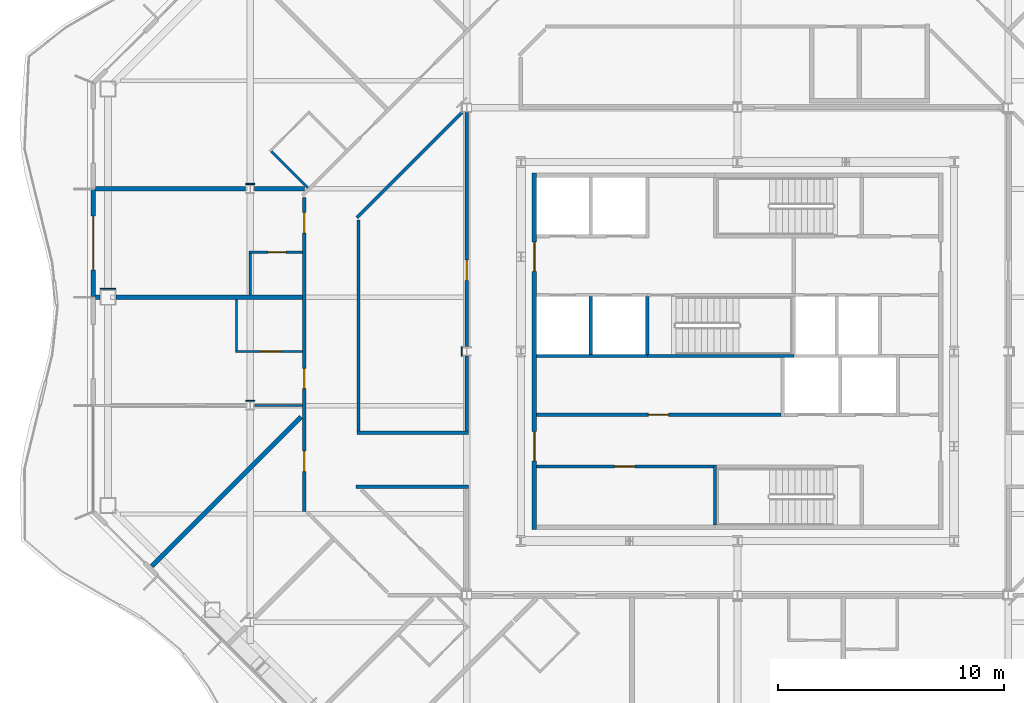
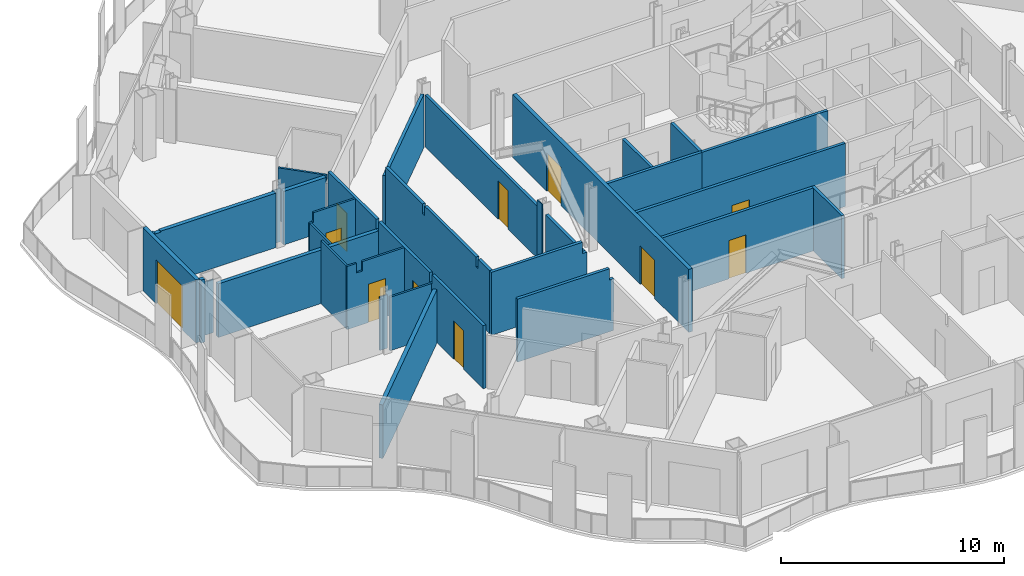
# One storey, part 8 of 22: 31 walls, 11 doors, 11 openings.
"""IFC4 building model written with IfcOpenShell, lengths in metres."""

import ifcopenshell
import ifcopenshell.guid

model = None  # the IFC model being written
_history = None  # IfcOwnerHistory: only IFC2X3 demands one
_inside = {}  # id of a spatial element -> (the spatial element, [elements in it])
_under = {}  # id of a project, library or spatial element -> (it, [spatial elements below it])
_declared = {}  # id of a project -> (the project, [libraries it declares])
_typed = {}  # id of a type object -> (the type object, [elements of that type])
_made_of = {}  # id of a material, layer set ... -> (it, [elements and type objects made of it])


def new_model(schema):
    """Start an empty IFC model of exactly this schema.

    Asked for "IFC4X3", IfcOpenShell would pick the latest addendum, in which some entities
    have other attributes; the version numbers below select the first issue.
    IFC2X3 requires an IfcOwnerHistory on every rooted entity: one is made here for all.
    """
    global model, _history
    if schema == "IFC4X3":
        model = ifcopenshell.file(schema_version=(4, 3, 0, 0))
    else:
        model = ifcopenshell.file(schema=schema)
    _inside.clear()
    _under.clear()
    _declared.clear()
    _typed.clear()
    _made_of.clear()
    _history = None
    if model.schema == "IFC2X3":
        org = make("IfcOrganization", Name="unknown")
        user = make(
            "IfcPersonAndOrganization",
            ThePerson=make("IfcPerson", FamilyName="unknown"),
            TheOrganization=org,
        )
        app = make(
            "IfcApplication",
            ApplicationDeveloper=org,
            Version="unknown",
            ApplicationFullName="unknown",
            ApplicationIdentifier="unknown",
        )
        _history = make(
            "IfcOwnerHistory",
            OwningUser=user,
            OwningApplication=app,
            ChangeAction="ADDED",
            CreationDate=0,
        )
    return model


def make(cls, **values):
    """One entity of the class cls with the attributes given. An attribute that is None is left unset."""
    return model.create_entity(
        cls, **{name: value for name, value in values.items() if value is not None}
    )


def rooted(cls, **values):
    """An entity with a GlobalId (a new one), such as an element, a storey or a relation."""
    return make(cls, GlobalId=ifcopenshell.guid.new(), OwnerHistory=_history, **values)


def si_unit(unit_type, name, prefix=None):
    """IfcSIUnit, for example si_unit("LENGTHUNIT", "METRE", prefix="MILLI")."""
    return make("IfcSIUnit", UnitType=unit_type, Prefix=prefix, Name=name)


def assignment(units):
    """IfcUnitAssignment: the units of a project."""
    return None if units is None else make("IfcUnitAssignment", Units=units)


def point(xyz):
    """IfcCartesianPoint."""
    return None if xyz is None else make("IfcCartesianPoint", Coordinates=xyz)


def direction(xyz):
    """IfcDirection."""
    return None if xyz is None else make("IfcDirection", DirectionRatios=xyz)


def frame(location, z_axis=None, x_axis=None):
    """IfcAxis2Placement3D, a coordinate frame: its origin and axes. An axis left out is left unset."""
    return make(
        "IfcAxis2Placement3D",
        Location=point(location),
        Axis=direction(z_axis),
        RefDirection=direction(x_axis),
    )


def frame_2d(location, x_axis=None):
    """IfcAxis2Placement2D, a coordinate frame in the plane: its origin and x axis."""
    return make(
        "IfcAxis2Placement2D", Location=point(location), RefDirection=direction(x_axis)
    )


def origin():
    """The frame at (0, 0, 0) with its axes left unset."""
    return frame((0.0, 0.0, 0.0))


def place(relative_to, where):
    """IfcLocalPlacement: puts the frame where relative to a parent placement (None: the world)."""
    return make(
        "IfcLocalPlacement", PlacementRelTo=relative_to, RelativePlacement=where
    )


def context(
    kind, dimensions, precision=None, world=None, true_north=None, identifier=None
):
    """IfcGeometricRepresentationContext, for example the 3D "Model" context."""
    return make(
        "IfcGeometricRepresentationContext",
        ContextIdentifier=identifier,
        ContextType=kind,
        CoordinateSpaceDimension=dimensions,
        Precision=precision,
        WorldCoordinateSystem=world,
        TrueNorth=true_north,
    )


def subcontext(parent, identifier, kind, view, scale=None):
    """IfcGeometricRepresentationSubContext, for example "Body" below "Model"."""
    return make(
        "IfcGeometricRepresentationSubContext",
        ContextIdentifier=identifier,
        ContextType=kind,
        ParentContext=parent,
        TargetScale=scale,
        TargetView=view,
    )


def project(units=None, contexts=None):
    """IfcProject with its units and contexts."""
    return rooted(
        "IfcProject",
        Name="project",
        RepresentationContexts=contexts,
        UnitsInContext=assignment(units),
    )


def spatial(cls, under=None, at=None, **own):
    """A site, building, storey or space (cls), placed at a placement, below another one or the project."""
    s = rooted(cls, ObjectPlacement=at, **own)
    if under is not None:
        _under.setdefault(under.id(), (under, []))[1].append(s)
    return s


def polyline(points):
    """IfcPolyline through the points."""
    return make("IfcPolyline", Points=[point(p) for p in points])


def profile(cls, at=None, kind="AREA", **sizes):
    """A parametric profile (cls). Its sizes go by their IFC names, for example OverallWidth=200.0."""
    return make(cls, ProfileType=kind, Position=at, **sizes)


def rectangle(**sizes):
    """IfcRectangleProfileDef."""
    return profile("IfcRectangleProfileDef", **sizes)


def outline(outer, holes=None, kind="AREA"):
    """IfcArbitraryClosedProfileDef: a profile drawn as a closed curve; with holes, ...WithVoids."""
    if holes is None:
        return make("IfcArbitraryClosedProfileDef", ProfileType=kind, OuterCurve=outer)
    return make(
        "IfcArbitraryProfileDefWithVoids",
        ProfileType=kind,
        OuterCurve=outer,
        InnerCurves=holes,
    )


def extrude(swept, where, along, depth):
    """IfcExtrudedAreaSolid: the profile swept, set in the frame where, extruded along a direction by depth."""
    return make(
        "IfcExtrudedAreaSolid",
        SweptArea=swept,
        Position=where,
        ExtrudedDirection=direction(along),
        Depth=depth,
    )


def shape(context_of_items, identifier, shape_type, items):
    """IfcShapeRepresentation: the items that make up one representation, for example the "Body"."""
    return make(
        "IfcShapeRepresentation",
        ContextOfItems=context_of_items,
        RepresentationIdentifier=identifier,
        RepresentationType=shape_type,
        Items=items,
    )


def material(Name=None, Category=None):
    """IfcMaterial."""
    return make("IfcMaterial", Name=Name, Category=Category)


def layer(
    of_material, thickness, ventilated=None, Name=None, Category=None, Priority=None
):
    """IfcMaterialLayer: one layer of a wall or slab, of a material (None: an air gap)."""
    return make(
        "IfcMaterialLayer",
        Material=of_material,
        LayerThickness=thickness,
        IsVentilated=ventilated,
        Name=Name,
        Category=Category,
        Priority=Priority,
    )


def layer_set(layers, Name=None):
    """IfcMaterialLayerSet."""
    return make("IfcMaterialLayerSet", MaterialLayers=layers, LayerSetName=Name)


def made_of(thing, what):
    """Note that an element or type object is made of a material, layer set ...; save() writes the relation."""
    if what is not None:
        _made_of.setdefault(what.id(), (what, []))[1].append(thing)
    return thing


def type_object(cls, material=None, **own):
    """A type object (cls), such as IfcWallType, which elements share."""
    return made_of(rooted(cls, **own), material)


def element(
    cls,
    number,
    at=None,
    inside=None,
    cuts=None,
    type_object=None,
    material=None,
    context=None,
    identifier="Body",
    shape_type=None,
    held_by="IfcProductDefinitionShape",
    body=None,
    shapes=None,
    **own,
):
    """One element of the class cls, such as IfcWall. Its Tag is "e" and its number.

    at: its placement. inside: the storey or other place that contains it. cuts: it is an
    opening in that element (IfcRelVoidsElement). A single representation is given by context,
    identifier, shape_type and body (its items); several are given by shapes. held_by: the class
    of the entity that holds the representations. save() writes the other relations.
    """
    e = rooted(cls, Tag="e%d" % number, ObjectPlacement=at, **own)
    if body is not None:
        shapes = [shape(context, identifier, shape_type, body)]
    if shapes is not None:
        e.Representation = make(held_by, Representations=shapes)
    if inside is not None:
        _inside.setdefault(inside.id(), (inside, []))[1].append(e)
    if cuts is not None:
        rooted(
            "IfcRelVoidsElement", RelatingBuildingElement=cuts, RelatedOpeningElement=e
        )
    if type_object is not None:
        _typed.setdefault(type_object.id(), (type_object, []))[1].append(e)
    return made_of(e, material)


def fill(opening, filler):
    """IfcRelFillsElement: the door or window that sits in an opening."""
    return rooted(
        "IfcRelFillsElement",
        RelatingOpeningElement=opening,
        RelatedBuildingElement=filler,
    )


def aggregate(whole, parts):
    """IfcRelAggregates: a whole, such as a stair, and the parts it consists of."""
    return rooted("IfcRelAggregates", RelatingObject=whole, RelatedObjects=parts)


def save(model, path):
    """Write the relations noted so far, then the file.

    IfcRelAggregates (storeys below a building ...), IfcRelContainedInSpatialStructure (elements
    in a storey), IfcRelDefinesByType, IfcRelAssociatesMaterial and IfcRelDeclares: one each for
    every whole, place, type object, material and project.
    """
    for whole, parts in _under.values():
        aggregate(whole, parts)
    for where, things in _inside.values():
        rooted(
            "IfcRelContainedInSpatialStructure",
            RelatedElements=things,
            RelatingStructure=where,
        )
    for kind, things in _typed.values():
        rooted("IfcRelDefinesByType", RelatedObjects=things, RelatingType=kind)
    for what, things in _made_of.values():
        rooted("IfcRelAssociatesMaterial", RelatedObjects=things, RelatingMaterial=what)
    for by, libraries in _declared.values():
        rooted("IfcRelDeclares", RelatingContext=by, RelatedDefinitions=libraries)
    model.write(path)


model = new_model("IFC4")

# Units and contexts
model_context = context("Model", 3, precision=1e-05, world=origin(), true_north=direction((0.0, 1.0)))
body_context = subcontext(model_context, "Body", "Model", "MODEL_VIEW")
ifc_project = project(units=[si_unit("LENGTHUNIT", "METRE"), si_unit("AREAUNIT", "SQUARE_METRE"), si_unit("VOLUMEUNIT", "CUBIC_METRE"), si_unit("PLANEANGLEUNIT", "RADIAN"), si_unit("MASSUNIT", "GRAM", prefix="KILO")], contexts=[model_context])

# Site, building, storey
site_placement = place(None, origin())
site = spatial("IfcSite", under=ifc_project, at=site_placement, CompositionType="ELEMENT")
building_placement = place(site_placement, origin())
building = spatial("IfcBuilding", under=site, at=building_placement, Name="Cairn Pilgrim Tower", CompositionType="ELEMENT")
storey_placement = place(building_placement, frame((0.0, 0.0, 147.0)))
storey = spatial("IfcBuildingStorey", under=building, at=storey_placement, Name="L36", CompositionType="ELEMENT", Elevation=147.0)

# Wall, opening, door
ifc_material_1 = material(Name="Bronze anodised aluminium insulated sandwich panel with mineral wool fill", Category="aluminium")
ifc_layer_1 = layer(ifc_material_1, 0.199951171875)
ifc_layer_set_1 = layer_set([ifc_layer_1], Name="BRONZE INFILL FRAME WALL 200")
wall_type_1 = type_object("IfcWallType", Name="BRONZE INFILL FRAME WALL 200", PredefinedType="NOTDEFINED", material=ifc_layer_set_1)
wall_1_placement = place(storey_placement, frame((-21.35009765625, 9.570068359375, 0.0), z_axis=(0.0, 0.0, 1.0), x_axis=(0.0, -1.0, 0.0)))
wall_1 = element("IfcWall", 1, at=wall_1_placement, inside=storey, type_object=wall_type_1, Name="Bronze infill frame wall IW-W2", PredefinedType="NOTDEFINED", context=body_context, shape_type="SweptSolid", body=[
    extrude(rectangle(XDim=4.739990234375, YDim=0.199951171875, at=frame_2d((2.3701171875, 0.0))), origin(), (0.0, 0.0, 1.0), 3.449951171875),
])
opening_1_placement = place(wall_1_placement, frame((1.169921875, 0.0, 0.0)))
opening_1 = element("IfcOpeningElement", 2, at=opening_1_placement, cuts=wall_1, Name="Opening 3614B", PredefinedType="OPENING", context=body_context, shape_type="SweptSolid", body=[
    extrude(rectangle(XDim=2.39990234375, YDim=2.39990234375, at=frame_2d((1.199951171875, 1.199951171875))), frame((0.0, 0.10986328125, 0.0), z_axis=(0.0, -1.0, 0.0), x_axis=(1.0, 0.0, 0.0)), (0.0, 0.0, 1.0), 0.219970703125),
])
ifc_material_2 = material(Name="Bronze anodised aluminium frame with tinted low-E glass", Category="aluminium")
door_type_1 = type_object("IfcDoorType", Name="BALCONY SLIDING DOOR 2400x2400", OperationType="DOUBLE_DOOR_SLIDING", PredefinedType="DOOR", material=ifc_material_2)
door_1_placement = place(opening_1_placement, origin())
door_1 = element("IfcDoor", 3, at=door_1_placement, inside=storey, type_object=door_type_1, Name="Balcony sliding door 3614B", OperationType="SINGLE_SWING_LEFT", OverallHeight=2.39990234375, OverallWidth=2.39990234375, PredefinedType="DOOR", context=body_context, shape_type="SweptSolid", body=[
    extrude(rectangle(XDim=2.39990234375, YDim=2.39990234375, at=frame_2d((1.199951171875, 1.199951171875))), frame((0.0, 0.02490234375, 0.0), z_axis=(0.0, -1.0, 0.0), x_axis=(1.0, 0.0, 0.0)), (0.0, 0.0, 1.0), 0.050048828125),
])
fill(opening_1, door_1)

# Wall, openings, doors
ifc_material_3 = material(Name="Concrete C32/40", Category="concrete")
ifc_layer_2 = layer(ifc_material_3, 0.199951171875)
ifc_layer_set_2 = layer_set([ifc_layer_2], Name="CORE OUTER WALL 200 EI 120")
wall_type_2 = type_object("IfcWallType", Name="CORE OUTER WALL 200 EI 120", PredefinedType="SOLIDWALL", material=ifc_layer_set_2)
wall_2_placement = place(storey_placement, frame((-1.800048828125, -5.5, 0.0), z_axis=(0.0, 0.0, 1.0), x_axis=(0.0, 1.0, 0.0)))
wall_2 = element("IfcWall", 4, at=wall_2_placement, inside=storey, type_object=wall_type_2, Name="CW:L36:V13", PredefinedType="SOLIDWALL", context=body_context, shape_type="SweptSolid", body=[
    extrude(rectangle(XDim=15.800048828125, YDim=0.199951171875, at=frame_2d((7.89990234375, 0.0))), origin(), (0.0, 0.0, 1.0), 3.449951171875),
])
opening_2_placement = place(wall_2_placement, frame((3.050048828125, 0.0, 0.0)))
opening_2 = element("IfcOpeningElement", 5, at=opening_2_placement, cuts=wall_2, Name="Opening CD-W1", PredefinedType="OPENING", context=body_context, shape_type="SweptSolid", body=[
    extrude(rectangle(XDim=1.300048828125, YDim=2.10009765625, at=frame_2d((0.64990234375, 1.050048828125))), frame((0.0, 0.10986328125, 0.0), z_axis=(0.0, -1.0, 0.0), x_axis=(1.0, 0.0, 0.0)), (0.0, 0.0, 1.0), 0.219970703125),
])
opening_3_placement = place(wall_2_placement, frame((11.449951171875, 0.0, 0.0)))
opening_3 = element("IfcOpeningElement", 6, at=opening_3_placement, cuts=wall_2, Name="Opening CD-W2", PredefinedType="OPENING", context=body_context, shape_type="SweptSolid", body=[
    extrude(rectangle(XDim=1.300048828125, YDim=2.10009765625, at=frame_2d((0.64990234375, 1.050048828125))), frame((0.0, 0.10986328125, 0.0), z_axis=(0.0, -1.0, 0.0), x_axis=(1.0, 0.0, 0.0)), (0.0, 0.0, 1.0), 0.219970703125),
])
ifc_material_4 = material(Name="Painted steel", Category="steel")
door_type_2 = type_object("IfcDoorType", Name="CORE LOBBY DOOR 1300x2100", OperationType="DOUBLE_DOOR_SINGLE_SWING", PredefinedType="DOOR", material=ifc_material_4)
door_2_placement = place(opening_2_placement, origin())
door_2 = element("IfcDoor", 7, at=door_2_placement, inside=storey, type_object=door_type_2, Name="CD-W1", OperationType="DOUBLE_DOOR_SINGLE_SWING", OverallHeight=2.10009765625, OverallWidth=1.300048828125, PredefinedType="DOOR", context=body_context, shape_type="SweptSolid", body=[
    extrude(rectangle(XDim=1.300048828125, YDim=2.10009765625, at=frame_2d((0.64990234375, 1.050048828125))), frame((0.0, 0.02490234375, 0.0), z_axis=(0.0, -1.0, 0.0), x_axis=(1.0, 0.0, 0.0)), (0.0, 0.0, 1.0), 0.050048828125),
])
fill(opening_2, door_2)
door_3_placement = place(opening_3_placement, origin())
door_3 = element("IfcDoor", 8, at=door_3_placement, inside=storey, type_object=door_type_2, Name="CD-W2", OperationType="DOUBLE_DOOR_SINGLE_SWING", OverallHeight=2.10009765625, OverallWidth=1.300048828125, PredefinedType="DOOR", context=body_context, shape_type="SweptSolid", body=[
    extrude(rectangle(XDim=1.300048828125, YDim=2.10009765625, at=frame_2d((0.64990234375, 1.050048828125))), frame((0.0, 0.02490234375, 0.0), z_axis=(0.0, -1.0, 0.0), x_axis=(1.0, 0.0, 0.0)), (0.0, 0.0, 1.0), 0.050048828125),
])
fill(opening_3, door_3)

# Wall, opening, door
ifc_layer_3 = layer(ifc_material_3, 0.14990234375)
ifc_layer_set_3 = layer_set([ifc_layer_3], Name="CORE PARTITION 150 EI 60")
wall_type_3 = type_object("IfcWallType", Name="CORE PARTITION 150 EI 60", PredefinedType="PARTITIONING", material=ifc_layer_set_3)
wall_3_placement = place(storey_placement, frame((-1.699951171875, -2.699951171875, 0.0), z_axis=(0.0, 0.0, 1.0), x_axis=(1.0, 0.0, 0.0)))
wall_3 = element("IfcWall", 9, at=wall_3_placement, inside=storey, type_object=wall_type_3, Name="CW:L36:H02", PredefinedType="PARTITIONING", context=body_context, shape_type="SweptSolid", body=[
    extrude(rectangle(XDim=7.824951171875, YDim=0.14990234375, at=frame_2d((3.91259765625, 0.0))), origin(), (0.0, 0.0, 1.0), 3.449951171875),
])
opening_4_placement = place(wall_3_placement, frame((3.449951171875, 0.0, 0.0)))
opening_4 = element("IfcOpeningElement", 10, at=opening_4_placement, cuts=wall_3, Name="Opening RD-R1W1", PredefinedType="OPENING", context=body_context, shape_type="SweptSolid", body=[
    extrude(rectangle(XDim=0.89990234375, YDim=2.10009765625, at=frame_2d((0.449951171875, 1.050048828125))), frame((0.0, 0.0849609375, 0.0), z_axis=(0.0, -1.0, 0.0), x_axis=(1.0, 0.0, 0.0)), (0.0, 0.0, 1.0), 0.169921875),
])
door_type_3 = type_object("IfcDoorType", Name="SERVICE ROOM DOOR 900x2100", OperationType="SINGLE_SWING_LEFT", PredefinedType="DOOR", material=ifc_material_4)
door_4_placement = place(opening_4_placement, origin())
door_4 = element("IfcDoor", 11, at=door_4_placement, inside=storey, type_object=door_type_3, Name="RD-R1W1", OperationType="SINGLE_SWING_LEFT", OverallHeight=2.10009765625, OverallWidth=0.89990234375, PredefinedType="DOOR", context=body_context, shape_type="SweptSolid", body=[
    extrude(rectangle(XDim=0.89990234375, YDim=2.10009765625, at=frame_2d((0.449951171875, 1.050048828125))), frame((0.0, 0.02490234375, 0.0), z_axis=(0.0, -1.0, 0.0), x_axis=(1.0, 0.0, 0.0)), (0.0, 0.0, 1.0), 0.050048828125),
])
fill(opening_4, door_4)

wall_4_placement = place(storey_placement, frame((-1.699951171875, -0.39990234375, 0.0), z_axis=(0.0, 0.0, 1.0), x_axis=(1.0, 0.0, 0.0)))
wall_4 = element("IfcWall", 12, at=wall_4_placement, inside=storey, type_object=wall_type_3, Name="CW:L36:H04", PredefinedType="PARTITIONING", context=body_context, shape_type="SweptSolid", body=[
    extrude(rectangle(XDim=10.824951171875, YDim=0.14990234375, at=frame_2d((5.41259765625, 0.0))), origin(), (0.0, 0.0, 1.0), 3.449951171875),
])
opening_5_placement = place(wall_4_placement, frame((4.949951171875, 0.0, 0.0)))
opening_5 = element("IfcOpeningElement", 13, at=opening_5_placement, cuts=wall_4, Name="Opening RD-R2W1", PredefinedType="OPENING", context=body_context, shape_type="SweptSolid", body=[
    extrude(rectangle(XDim=0.89990234375, YDim=2.10009765625, at=frame_2d((0.449951171875, 1.050048828125))), frame((0.0, 0.0849609375, 0.0), z_axis=(0.0, -1.0, 0.0), x_axis=(1.0, 0.0, 0.0)), (0.0, 0.0, 1.0), 0.169921875),
])
door_5_placement = place(opening_5_placement, origin())
door_5 = element("IfcDoor", 14, at=door_5_placement, inside=storey, type_object=door_type_3, Name="RD-R2W1", OperationType="SINGLE_SWING_RIGHT", OverallHeight=2.10009765625, OverallWidth=0.89990234375, PredefinedType="DOOR", context=body_context, shape_type="SweptSolid", body=[
    extrude(rectangle(XDim=0.89990234375, YDim=2.10009765625, at=frame_2d((0.449951171875, 1.050048828125))), frame((0.0, 0.02490234375, 0.0), z_axis=(0.0, -1.0, 0.0), x_axis=(1.0, 0.0, 0.0)), (0.0, 0.0, 1.0), 0.050048828125),
])
fill(opening_5, door_5)

# Walls
ifc_layer_4 = layer(ifc_material_3, 0.14990234375)
ifc_layer_set_4 = layer_set([ifc_layer_4], Name="CORE SHAFT WALL 150 EI 120")
wall_type_4 = type_object("IfcWallType", Name="CORE SHAFT WALL 150 EI 120", PredefinedType="SOLIDWALL", material=ifc_layer_set_4)
wall_5_placement = place(storey_placement, frame((-1.699951171875, 2.199951171875, 0.0), z_axis=(0.0, 0.0, 1.0), x_axis=(1.0, 0.0, 0.0)))
element("IfcWall", 15, at=wall_5_placement, inside=storey, type_object=wall_type_4, Name="CW:L36:H07-1", PredefinedType="SOLIDWALL", context=body_context, shape_type="SweptSolid", body=[
    extrude(rectangle(XDim=4.89990234375, YDim=0.14990234375, at=frame_2d((2.449951171875, 0.0))), origin(), (0.0, 0.0, 1.0), 3.449951171875),
])
wall_6_placement = place(storey_placement, frame((0.699951171875, 2.27490234375, 0.0), z_axis=(0.0, 0.0, 1.0), x_axis=(0.0, 1.0, 0.0)))
element("IfcWall", 16, at=wall_6_placement, inside=storey, type_object=wall_type_4, Name="CW:L36:V14", PredefinedType="SOLIDWALL", context=body_context, shape_type="SweptSolid", body=[
    extrude(rectangle(XDim=2.550048828125, YDim=0.14990234375, at=frame_2d((1.27490234375, 0.0))), origin(), (0.0, 0.0, 1.0), 3.449951171875),
])
ifc_material_5 = material(Name="Gypsum partition")
ifc_layer_5 = layer(ifc_material_5, 0.10009765625)
ifc_layer_set_5 = layer_set([ifc_layer_5], Name="PARTITION 100 DRYWALL")
wall_type_5 = type_object("IfcWallType", Name="PARTITION 100 DRYWALL", PredefinedType="PARTITIONING", material=ifc_layer_set_5)
wall_7_placement = place(storey_placement, frame((-14.200439453125, 0.0, 0.0), z_axis=(0.0, 0.0, 1.0), x_axis=(1.0, 0.0, 0.0)))
element("IfcWall", 17, at=wall_7_placement, inside=storey, type_object=wall_type_5, Name="PARTITION W048", PredefinedType="PARTITIONING", context=body_context, shape_type="SweptSolid", body=[
    extrude(rectangle(XDim=2.12548828125, YDim=0.10009765625, at=frame_2d((1.062744140625, 0.0))), origin(), (0.0, 0.0, 1.0), 2.929931640625),
])

# Wall, opening, door
wall_8_placement = place(storey_placement, frame((-15.050048828125, 2.39990234375, 0.0), z_axis=(0.0, 0.0, 1.0), x_axis=(1.0, 0.0, 0.0)))
wall_8 = element("IfcWall", 18, at=wall_8_placement, inside=storey, type_object=wall_type_5, Name="PARTITION W051", PredefinedType="PARTITIONING", context=body_context, shape_type="SweptSolid", body=[
    extrude(outline(polyline([(0.0, 0.0), (2.97509765625, 0.0), (2.97509765625, 3.449951171875), (0.800048828125, 3.449951171875), (0.798095703125, 2.929931640625), (0.5, 2.929931640625), (0.498046875, 3.449951171875), (0.0, 3.449951171875), (0.0, 0.0)])), frame((0.0, 0.050048828125, 0.0), z_axis=(0.0, -1.0, 0.0), x_axis=(1.0, 0.0, 0.0)), (0.0, 0.0, 1.0), 0.10009765625),
])
opening_6_placement = place(wall_8_placement, frame((1.10009765625, 0.0, 0.0)))
opening_6 = element("IfcOpeningElement", 19, at=opening_6_placement, cuts=wall_8, Name="Opening 3615A", PredefinedType="OPENING", context=body_context, shape_type="SweptSolid", body=[
    extrude(rectangle(XDim=0.89990234375, YDim=2.10009765625, at=frame_2d((0.449951171875, 1.050048828125))), frame((0.0, 0.06005859375, 0.0), z_axis=(0.0, -1.0, 0.0), x_axis=(1.0, 0.0, 0.0)), (0.0, 0.0, 1.0), 0.1201171875),
])
ifc_material_6 = material(Name="Timber door leaf", Category="wood")
door_type_4 = type_object("IfcDoorType", Name="WC DOOR 900x2100", OperationType="NOTDEFINED", PredefinedType="DOOR", material=ifc_material_6)
door_6_placement = place(opening_6_placement, frame((0.89990234375, 0.0, 0.0), z_axis=(0.0, 0.0, 1.0), x_axis=(-1.0, 0.0, 0.0)))
door_6 = element("IfcDoor", 20, at=door_6_placement, inside=storey, type_object=door_type_4, Name="DOOR 3615A", OperationType="SINGLE_SWING_RIGHT", OverallHeight=2.10009765625, OverallWidth=0.89990234375, PredefinedType="DOOR", context=body_context, shape_type="SweptSolid", body=[
    extrude(rectangle(XDim=0.89990234375, YDim=2.10009765625, at=frame_2d((0.449951171875, 1.050048828125))), frame((0.0, 0.02490234375, 0.0), z_axis=(0.0, -1.0, 0.0), x_axis=(1.0, 0.0, 0.0)), (0.0, 0.0, 1.0), 0.050048828125),
])
fill(opening_6, door_6)

# Walls
wall_9_placement = place(storey_placement, frame((-15.0, 2.449951171875, 0.0), z_axis=(0.0, 0.0, 1.0), x_axis=(0.0, 1.0, 0.0)))
element("IfcWall", 21, at=wall_9_placement, inside=storey, type_object=wall_type_5, Name="PARTITION W052", PredefinedType="PARTITIONING", context=body_context, shape_type="SweptSolid", body=[
    extrude(rectangle(XDim=2.25, YDim=0.10009765625, at=frame_2d((1.125, 0.0))), origin(), (0.0, 0.0, 1.0), 3.449951171875),
])
wall_10_placement = place(storey_placement, frame((-14.39990234375, 4.89990234375, 0.0), z_axis=(0.0, 0.0, 1.0), x_axis=(0.0, 1.0, 0.0)))
element("IfcWall", 22, at=wall_10_placement, inside=storey, type_object=wall_type_5, Name="PARTITION W061", PredefinedType="PARTITIONING", context=body_context, shape_type="SweptSolid", body=[
    extrude(rectangle(XDim=1.85009765625, YDim=0.10009765625, at=frame_2d((0.925048828125, 0.0))), origin(), (0.0, 0.0, 1.0), 2.929931640625),
])

# Wall, opening, door
wall_11_placement = place(storey_placement, frame((-14.449951171875, 6.800048828125, 0.0), z_axis=(0.0, 0.0, 1.0), x_axis=(1.0, 0.0, 0.0)))
wall_11 = element("IfcWall", 23, at=wall_11_placement, inside=storey, type_object=wall_type_5, Name="PARTITION W062", PredefinedType="PARTITIONING", context=body_context, shape_type="SweptSolid", body=[
    extrude(outline(polyline([(0.0, 0.0), (2.375, 0.0), (2.375, 3.449951171875), (0.199951171875, 3.449951171875), (0.197998046875, 2.929931640625), (0.0, 2.929931640625), (0.0, 0.0)])), frame((0.0, 0.050048828125, 0.0), z_axis=(0.0, -1.0, 0.0), x_axis=(1.0, 0.0, 0.0)), (0.0, 0.0, 1.0), 0.10009765625),
])
opening_7_placement = place(wall_11_placement, frame((0.85009765625, 0.0, 0.0)))
opening_7 = element("IfcOpeningElement", 24, at=opening_7_placement, cuts=wall_11, Name="Opening 3614A", PredefinedType="OPENING", context=body_context, shape_type="SweptSolid", body=[
    extrude(rectangle(XDim=0.800048828125, YDim=2.10009765625, at=frame_2d((0.39990234375, 1.050048828125))), frame((0.0, 0.06005859375, 0.0), z_axis=(0.0, -1.0, 0.0), x_axis=(1.0, 0.0, 0.0)), (0.0, 0.0, 1.0), 0.1201171875),
])
door_type_5 = type_object("IfcDoorType", Name="WC DOOR 800x2100", OperationType="NOTDEFINED", PredefinedType="DOOR", material=ifc_material_6)
door_7_placement = place(opening_7_placement, origin())
door_7 = element("IfcDoor", 25, at=door_7_placement, inside=storey, type_object=door_type_5, Name="DOOR 3614A", OperationType="SINGLE_SWING_RIGHT", OverallHeight=2.10009765625, OverallWidth=0.800048828125, PredefinedType="DOOR", context=body_context, shape_type="SweptSolid", body=[
    extrude(rectangle(XDim=0.800048828125, YDim=2.10009765625, at=frame_2d((0.39990234375, 1.050048828125))), frame((0.0, 0.02490234375, 0.0), z_axis=(0.0, -1.0, 0.0), x_axis=(1.0, 0.0, 0.0)), (0.0, 0.0, 1.0), 0.050048828125),
])
fill(opening_7, door_7)

# Wall
wall_12_placement = place(storey_placement, frame((-11.846923828125, 9.653076171875, 0.0), z_axis=(0.0, 0.0, 1.0), x_axis=(-0.707106781187, 0.707106781187, 0.0)))
element("IfcWall", 26, at=wall_12_placement, inside=storey, type_object=wall_type_5, Name="PARTITION W071", PredefinedType="PARTITIONING", context=body_context, shape_type="SweptSolid", body=[
    extrude(rectangle(XDim=2.27490234375, YDim=0.10009765625, at=frame_2d((1.137451171875, 0.0))), origin(), (0.0, 0.0, 1.0), 2.929931640625),
])

# Wall, openings, doors
ifc_layer_6 = layer(ifc_material_5, 0.14990234375)
ifc_layer_set_6 = layer_set([ifc_layer_6], Name="PARTITION 150 DRYWALL EI 60")
wall_type_6 = type_object("IfcWallType", Name="PARTITION 150 DRYWALL EI 60", PredefinedType="PARTITIONING", material=ifc_layer_set_6)
wall_13_placement = place(storey_placement, frame((-12.0, -4.7001953125, 0.0), z_axis=(0.0, 0.0, 1.0), x_axis=(0.0, 1.0, 0.0)))
wall_13 = element("IfcWall", 27, at=wall_13_placement, inside=storey, type_object=wall_type_6, Name="PARTITION W035", PredefinedType="PARTITIONING", context=body_context, shape_type="SweptSolid", body=[
    extrude(outline(polyline([(0.0, 0.0), (13.9130859375, 0.0), (13.9130859375, 3.449951171875), (9.60009765625, 3.449951171875), (9.59814453125, 2.929931640625), (9.400146484375, 2.929931640625), (9.398193359375, 3.449951171875), (4.800048828125, 3.449951171875), (4.798095703125, 2.929931640625), (4.60009765625, 2.929931640625), (4.59814453125, 3.449951171875), (0.0, 3.449951171875), (0.0, 0.0)])), frame((0.0, 0.074951171875, 0.0), z_axis=(0.0, -1.0, 0.0), x_axis=(1.0, 0.0, 0.0)), (0.0, 0.0, 1.0), 0.14990234375),
])
opening_8_placement = place(wall_13_placement, frame((12.34716796875, 0.0, 0.0)))
opening_8 = element("IfcOpeningElement", 28, at=opening_8_placement, cuts=wall_13, Name="Opening 3614", PredefinedType="OPENING", context=body_context, shape_type="SweptSolid", body=[
    extrude(rectangle(XDim=0.89990234375, YDim=2.10009765625, at=frame_2d((0.449951171875, 1.050048828125))), frame((0.0, 0.0849609375, 0.0), z_axis=(0.0, -1.0, 0.0), x_axis=(1.0, 0.0, 0.0)), (0.0, 0.0, 1.0), 0.169921875),
])
opening_9_placement = place(wall_13_placement, frame((5.449951171875, 0.0, 0.0)))
opening_9 = element("IfcOpeningElement", 29, at=opening_9_placement, cuts=wall_13, Name="Opening 3615", PredefinedType="OPENING", context=body_context, shape_type="SweptSolid", body=[
    extrude(rectangle(XDim=0.89990234375, YDim=2.10009765625, at=frame_2d((0.449951171875, 1.050048828125))), frame((0.0, 0.0849609375, 0.0), z_axis=(0.0, -1.0, 0.0), x_axis=(1.0, 0.0, 0.0)), (0.0, 0.0, 1.0), 0.169921875),
])
opening_10_placement = place(wall_13_placement, frame((1.777099609375, 0.0, 0.0)))
opening_10 = element("IfcOpeningElement", 30, at=opening_10_placement, cuts=wall_13, Name="Opening 3616", PredefinedType="OPENING", context=body_context, shape_type="SweptSolid", body=[
    extrude(rectangle(XDim=0.89990234375, YDim=2.10009765625, at=frame_2d((0.449951171875, 1.050048828125))), frame((0.0, 0.0849609375, 0.0), z_axis=(0.0, -1.0, 0.0), x_axis=(1.0, 0.0, 0.0)), (0.0, 0.0, 1.0), 0.169921875),
])
door_type_6 = type_object("IfcDoorType", Name="ROOM DOOR 900x2100 FD30S", OperationType="NOTDEFINED", PredefinedType="DOOR", material=ifc_material_6)
door_8_placement = place(opening_8_placement, origin())
door_8 = element("IfcDoor", 31, at=door_8_placement, inside=storey, type_object=door_type_6, Name="DOOR 3614", OperationType="SINGLE_SWING_RIGHT", OverallHeight=2.10009765625, OverallWidth=0.89990234375, PredefinedType="DOOR", context=body_context, shape_type="SweptSolid", body=[
    extrude(rectangle(XDim=0.89990234375, YDim=2.10009765625, at=frame_2d((0.449951171875, 1.050048828125))), frame((0.0, 0.02490234375, 0.0), z_axis=(0.0, -1.0, 0.0), x_axis=(1.0, 0.0, 0.0)), (0.0, 0.0, 1.0), 0.050048828125),
])
fill(opening_8, door_8)
door_9_placement = place(opening_9_placement, origin())
door_9 = element("IfcDoor", 32, at=door_9_placement, inside=storey, type_object=door_type_6, Name="DOOR 3615", OperationType="SINGLE_SWING_RIGHT", OverallHeight=2.10009765625, OverallWidth=0.89990234375, PredefinedType="DOOR", context=body_context, shape_type="SweptSolid", body=[
    extrude(rectangle(XDim=0.89990234375, YDim=2.10009765625, at=frame_2d((0.449951171875, 1.050048828125))), frame((0.0, 0.02490234375, 0.0), z_axis=(0.0, -1.0, 0.0), x_axis=(1.0, 0.0, 0.0)), (0.0, 0.0, 1.0), 0.050048828125),
])
fill(opening_9, door_9)
door_type_7 = type_object("IfcDoorType", Name="SERVICE DOOR 900x2100 FD30S", OperationType="NOTDEFINED", PredefinedType="DOOR", material=ifc_material_6)
door_10_placement = place(opening_10_placement, origin())
door_10 = element("IfcDoor", 33, at=door_10_placement, inside=storey, type_object=door_type_7, Name="DOOR 3616", OperationType="SINGLE_SWING_RIGHT", OverallHeight=2.10009765625, OverallWidth=0.89990234375, PredefinedType="DOOR", context=body_context, shape_type="SweptSolid", body=[
    extrude(rectangle(XDim=0.89990234375, YDim=2.10009765625, at=frame_2d((0.449951171875, 1.050048828125))), frame((0.0, 0.02490234375, 0.0), z_axis=(0.0, -1.0, 0.0), x_axis=(1.0, 0.0, 0.0)), (0.0, 0.0, 1.0), 0.050048828125),
])
fill(opening_10, door_10)

# Walls
wall_14_placement = place(storey_placement, frame((-9.7060546875, -3.60009765625, 0.0), z_axis=(0.0, 0.0, 1.0), x_axis=(1.0, 0.0, 0.0)))
element("IfcWall", 34, at=wall_14_placement, inside=storey, type_object=wall_type_6, Name="PARTITION W039", PredefinedType="PARTITIONING", context=body_context, shape_type="SweptSolid", body=[
    extrude(outline(polyline([(0.0, 0.0), (4.98095703125, 0.0), (4.981201171875, 2.830078125), (4.756103515625, 2.830078125), (4.754150390625, 3.449951171875), (0.0, 3.449951171875), (0.0, 0.0)])), frame((0.0, 0.074951171875, 0.0), z_axis=(0.0, -1.0, 0.0), x_axis=(1.0, 0.0, 0.0)), (0.0, 0.0, 1.0), 0.14990234375),
])
wall_15_placement = place(storey_placement, frame((-9.675048828125, -1.199951171875, 0.0), z_axis=(0.0, 0.0, 1.0), x_axis=(1.0, 0.0, 0.0)))
element("IfcWall", 35, at=wall_15_placement, inside=storey, type_object=wall_type_6, Name="PARTITION W041", PredefinedType="PARTITIONING", context=body_context, shape_type="SweptSolid", body=[
    extrude(outline(polyline([(0.0, 0.0), (4.949951171875, 0.0), (4.949951171875, 2.830078125), (4.72509765625, 2.830078125), (4.722900390625, 3.449951171875), (0.0, 3.449951171875), (0.0, 0.0)])), frame((0.0, 0.074951171875, 0.0), z_axis=(0.0, -1.0, 0.0), x_axis=(1.0, 0.0, 0.0)), (0.0, 0.0, 1.0), 0.14990234375),
])
wall_16_placement = place(storey_placement, frame((-9.60009765625, -1.125, 0.0), z_axis=(0.0, 0.0, 1.0), x_axis=(0.0, 1.0, 0.0)))
element("IfcWall", 36, at=wall_16_placement, inside=storey, type_object=wall_type_6, Name="PARTITION W043", PredefinedType="PARTITIONING", context=body_context, shape_type="SweptSolid", body=[
    extrude(outline(polyline([(0.0, 0.0), (9.343994140625, 0.0), (9.343994140625, 3.449951171875), (6.02490234375, 3.449951171875), (6.02294921875, 2.929931640625), (5.824951171875, 2.929931640625), (5.822998046875, 3.449951171875), (1.22509765625, 3.449951171875), (1.222900390625, 2.929931640625), (1.02490234375, 2.929931640625), (1.02294921875, 3.449951171875), (0.0, 3.449951171875), (0.0, 0.0)])), frame((0.0, 0.074951171875, 0.0), z_axis=(0.0, -1.0, 0.0), x_axis=(1.0, 0.0, 0.0)), (0.0, 0.0, 1.0), 0.14990234375),
])
wall_17_placement = place(storey_placement, frame((-4.800048828125, -1.125, 0.0), z_axis=(0.0, 0.0, 1.0), x_axis=(0.0, 1.0, 0.0)))
element("IfcWall", 37, at=wall_17_placement, inside=storey, type_object=wall_type_6, Name="PARTITION W044", PredefinedType="PARTITIONING", context=body_context, shape_type="SweptSolid", body=[
    extrude(rectangle(XDim=3.3125, YDim=0.14990234375, at=frame_2d((1.65625, 0.0))), origin(), (0.0, 0.0, 1.0), 2.830078125),
])

# Wall, opening, door
wall_18_placement = place(storey_placement, frame((-4.800048828125, 2.612548828125, 0.0), z_axis=(0.0, 0.0, 1.0), x_axis=(0.0, 1.0, 0.0)))
wall_18 = element("IfcWall", 38, at=wall_18_placement, inside=storey, type_object=wall_type_6, Name="PARTITION W055", PredefinedType="PARTITIONING", context=body_context, shape_type="SweptSolid", body=[
    extrude(rectangle(XDim=10.375, YDim=0.14990234375, at=frame_2d((5.1875, 0.0))), origin(), (0.0, 0.0, 1.0), 2.830078125),
])
opening_11_placement = place(wall_18_placement, frame((2.9375, 0.0, 0.0)))
opening_11 = element("IfcOpeningElement", 39, at=opening_11_placement, cuts=wall_18, Name="Opening 3628", PredefinedType="OPENING", context=body_context, shape_type="SweptSolid", body=[
    extrude(rectangle(XDim=0.89990234375, YDim=2.10009765625, at=frame_2d((0.449951171875, 1.050048828125))), frame((0.0, 0.0849609375, 0.0), z_axis=(0.0, -1.0, 0.0), x_axis=(1.0, 0.0, 0.0)), (0.0, 0.0, 1.0), 0.169921875),
])
door_11_placement = place(opening_11_placement, origin())
door_11 = element("IfcDoor", 40, at=door_11_placement, inside=storey, type_object=door_type_7, Name="DOOR 3628", OperationType="SINGLE_SWING_LEFT", OverallHeight=2.10009765625, OverallWidth=0.89990234375, PredefinedType="DOOR", context=body_context, shape_type="SweptSolid", body=[
    extrude(rectangle(XDim=0.89990234375, YDim=2.10009765625, at=frame_2d((0.449951171875, 1.050048828125))), frame((0.0, 0.02490234375, 0.0), z_axis=(0.0, -1.0, 0.0), x_axis=(1.0, 0.0, 0.0)), (0.0, 0.0, 1.0), 0.050048828125),
])
fill(opening_11, door_11)

# Walls
wall_19_placement = place(storey_placement, frame((-9.675048828125, 8.324951171875, 0.0), z_axis=(0.0, 0.0, 1.0), x_axis=(0.707106781187, 0.707106781187, 0.0)))
element("IfcWall", 41, at=wall_19_placement, inside=storey, type_object=wall_type_6, Name="PARTITION W063", PredefinedType="PARTITIONING", context=body_context, shape_type="SweptSolid", body=[
    extrude(rectangle(XDim=6.599365234375, YDim=0.14990234375, at=frame_2d((3.2998046875, 0.0))), origin(), (0.0, 0.0, 1.0), 2.929931640625),
])
ifc_layer_7 = layer(ifc_material_5, 0.050048828125)
ifc_layer_set_7 = layer_set([ifc_layer_7], Name="PARTITION 50 DRYWALL")
wall_type_7 = type_object("IfcWallType", Name="PARTITION 50 DRYWALL", PredefinedType="PARTITIONING", material=ifc_layer_set_7)
wall_20_placement = place(storey_placement, frame((-14.599609375, 0.221435546875, 0.0), z_axis=(0.0, 0.0, 1.0), x_axis=(1.0, 0.0, 0.0)))
element("IfcWall", 42, at=wall_20_placement, inside=storey, type_object=wall_type_7, Name="COLUMN CASING WC21", PredefinedType="PARTITIONING", context=body_context, shape_type="SweptSolid", body=[
    extrude(rectangle(XDim=0.399169921875, YDim=0.050048828125, at=frame_2d((0.19970703125, 0.0))), origin(), (0.0, 0.0, 1.0), 2.929931640625),
])
ifc_layer_8 = layer(ifc_material_5, 0.050048828125)
ifc_layer_set_8 = layer_set([ifc_layer_8], Name="PARTITION 50 DRYWALL EI 60")
wall_type_8 = type_object("IfcWallType", Name="PARTITION 50 DRYWALL EI 60", PredefinedType="PARTITIONING", material=ifc_layer_set_8)
wall_21_placement = place(storey_placement, frame((-5.029541015625, 2.1875, 0.0), z_axis=(0.0, 0.0, 1.0), x_axis=(0.0, 1.0, 0.0)))
element("IfcWall", 43, at=wall_21_placement, inside=storey, type_object=wall_type_8, Name="COLUMN CASING WC17", PredefinedType="PARTITIONING", context=body_context, shape_type="SweptSolid", body=[
    extrude(rectangle(XDim=0.425048828125, YDim=0.050048828125, at=frame_2d((0.21240234375, 0.0))), origin(), (0.0, 0.0, 1.0), 3.449951171875),
])
wall_22_placement = place(storey_placement, frame((-21.050048828125, 5.175048828125, 0.0), z_axis=(0.0, 0.0, 1.0), x_axis=(1.0, 0.0, 0.0)))
element("IfcWall", 44, at=wall_22_placement, inside=storey, type_object=wall_type_8, Name="COLUMN CASING WC23", PredefinedType="PARTITIONING", context=body_context, shape_type="SweptSolid", body=[
    extrude(rectangle(XDim=0.699951171875, YDim=0.050048828125, at=frame_2d((0.35009765625, 0.0))), origin(), (0.0, 0.0, 1.0), 2.929931640625),
])
wall_23_placement = place(storey_placement, frame((-14.599609375, 9.821533203125, 0.0), z_axis=(0.0, 0.0, 1.0), x_axis=(1.0, 0.0, 0.0)))
element("IfcWall", 45, at=wall_23_placement, inside=storey, type_object=wall_type_8, Name="COLUMN CASING WC27", PredefinedType="PARTITIONING", context=body_context, shape_type="SweptSolid", body=[
    extrude(rectangle(XDim=0.399169921875, YDim=0.050048828125, at=frame_2d((0.19970703125, 0.0))), origin(), (0.0, 0.0, 1.0), 2.929931640625),
])
ifc_layer_9 = layer(ifc_material_5, 0.199951171875)
ifc_layer_set_9 = layer_set([ifc_layer_9], Name="SHAFT WALL 200 GYPSUM EI 60")
wall_type_9 = type_object("IfcWallType", Name="SHAFT WALL 200 GYPSUM EI 60", PredefinedType="PARTITIONING", material=ifc_layer_set_9)
wall_24_placement = place(storey_placement, frame((-18.75537109375, -7.107421875, 0.0), z_axis=(0.0, 0.0, 1.0), x_axis=(0.707106781187, 0.707106781187, 0.0)))
element("IfcWall", 46, at=wall_24_placement, inside=storey, type_object=wall_type_9, Name="PARTITION W033", PredefinedType="PARTITIONING", context=body_context, shape_type="SweptSolid", body=[
    extrude(rectangle(XDim=9.347412109375, YDim=0.199951171875, at=frame_2d((4.673828125, 0.0))), origin(), (0.0, 0.0, 1.0), 2.929931640625),
])
wall_25_placement = place(storey_placement, frame((-21.25, 4.800048828125, 0.0), z_axis=(0.0, 0.0, 1.0), x_axis=(1.0, 0.0, 0.0)))
element("IfcWall", 47, at=wall_25_placement, inside=storey, type_object=wall_type_9, Name="PARTITION W057", PredefinedType="PARTITIONING", context=body_context, shape_type="SweptSolid", body=[
    extrude(rectangle(XDim=0.199951171875, YDim=0.199951171875, at=frame_2d((0.10009765625, 0.0))), origin(), (0.0, 0.0, 1.0), 3.449951171875),
])
wall_26_placement = place(storey_placement, frame((-20.35009765625, 4.800048828125, 0.0), z_axis=(0.0, 0.0, 1.0), x_axis=(1.0, 0.0, 0.0)))
element("IfcWall", 48, at=wall_26_placement, inside=storey, type_object=wall_type_9, Name="PARTITION W058", PredefinedType="PARTITIONING", context=body_context, shape_type="SweptSolid", body=[
    extrude(rectangle(XDim=8.275146484375, YDim=0.199951171875, at=frame_2d((4.1376953125, 0.0))), origin(), (0.0, 0.0, 1.0), 2.929931640625),
])
wall_27_placement = place(storey_placement, frame((-21.25, 9.60009765625, 0.0), z_axis=(0.0, 0.0, 1.0), x_axis=(1.0, 0.0, 0.0)))
element("IfcWall", 49, at=wall_27_placement, inside=storey, type_object=wall_type_9, Name="PARTITION W067", PredefinedType="PARTITIONING", context=body_context, shape_type="SweptSolid", body=[
    extrude(outline(polyline([(0.0, 0.0), (6.650390625, 0.0), (6.650390625, 2.97998046875), (0.699951171875, 2.97998046875), (0.697998046875, 2.929931640625), (0.39990234375, 2.929931640625), (0.39794921875, 2.97998046875), (0.0, 2.97998046875), (0.0, 0.0)])), frame((0.0, 0.10009765625, 0.0), z_axis=(0.0, -1.0, 0.0), x_axis=(1.0, 0.0, 0.0)), (0.0, 0.0, 1.0), 0.199951171875),
])
wall_28_placement = place(storey_placement, frame((-14.200439453125, 9.60009765625, 0.0), z_axis=(0.0, 0.0, 1.0), x_axis=(1.0, 0.0, 0.0)))
element("IfcWall", 50, at=wall_28_placement, inside=storey, type_object=wall_type_9, Name="PARTITION W068", PredefinedType="PARTITIONING", context=body_context, shape_type="SweptSolid", body=[
    extrude(rectangle(XDim=2.200439453125, YDim=0.199951171875, at=frame_2d((1.10009765625, 0.0))), origin(), (0.0, 0.0, 1.0), 2.929931640625),
])
ifc_material_7 = material(Name="Concrete C35/45", Category="concrete")
ifc_layer_10 = layer(ifc_material_7, 0.14990234375)
ifc_layer_set_10 = layer_set([ifc_layer_10], Name="STAIR SHAFT WALL 150 EI 120")
wall_type_10 = type_object("IfcWallType", Name="STAIR SHAFT WALL 150 EI 120", PredefinedType="SOLIDWALL", material=ifc_layer_set_10)
wall_29_placement = place(storey_placement, frame((3.199951171875, 2.199951171875, 0.0), z_axis=(0.0, 0.0, 1.0), x_axis=(1.0, 0.0, 0.0)))
element("IfcWall", 51, at=wall_29_placement, inside=storey, type_object=wall_type_10, Name="CW:L36:H07-2", PredefinedType="SOLIDWALL", context=body_context, shape_type="SweptSolid", body=[
    extrude(rectangle(XDim=6.5, YDim=0.14990234375, at=frame_2d((3.25, 0.0))), origin(), (0.0, 0.0, 1.0), 3.449951171875),
])
wall_30_placement = place(storey_placement, frame((3.199951171875, 2.27490234375, 0.0), z_axis=(0.0, 0.0, 1.0), x_axis=(0.0, 1.0, 0.0)))
element("IfcWall", 52, at=wall_30_placement, inside=storey, type_object=wall_type_10, Name="CW:L36:V16", PredefinedType="SOLIDWALL", context=body_context, shape_type="SweptSolid", body=[
    extrude(rectangle(XDim=2.550048828125, YDim=0.14990234375, at=frame_2d((1.27490234375, 0.0))), origin(), (0.0, 0.0, 1.0), 3.449951171875),
])
wall_31_placement = place(storey_placement, frame((6.199951171875, -5.300048828125, 0.0), z_axis=(0.0, 0.0, 1.0), x_axis=(0.0, 1.0, 0.0)))
element("IfcWall", 53, at=wall_31_placement, inside=storey, type_object=wall_type_10, Name="CW:L36:V18", PredefinedType="SOLIDWALL", context=body_context, shape_type="SweptSolid", body=[
    extrude(rectangle(XDim=2.675048828125, YDim=0.14990234375, at=frame_2d((1.33740234375, 0.0))), origin(), (0.0, 0.0, 1.0), 3.449951171875),
])

save(model, "model.ifc")
